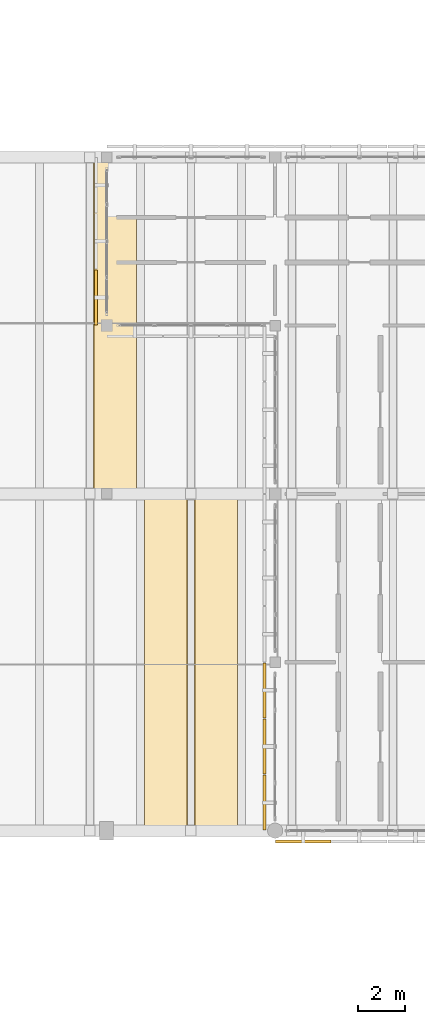
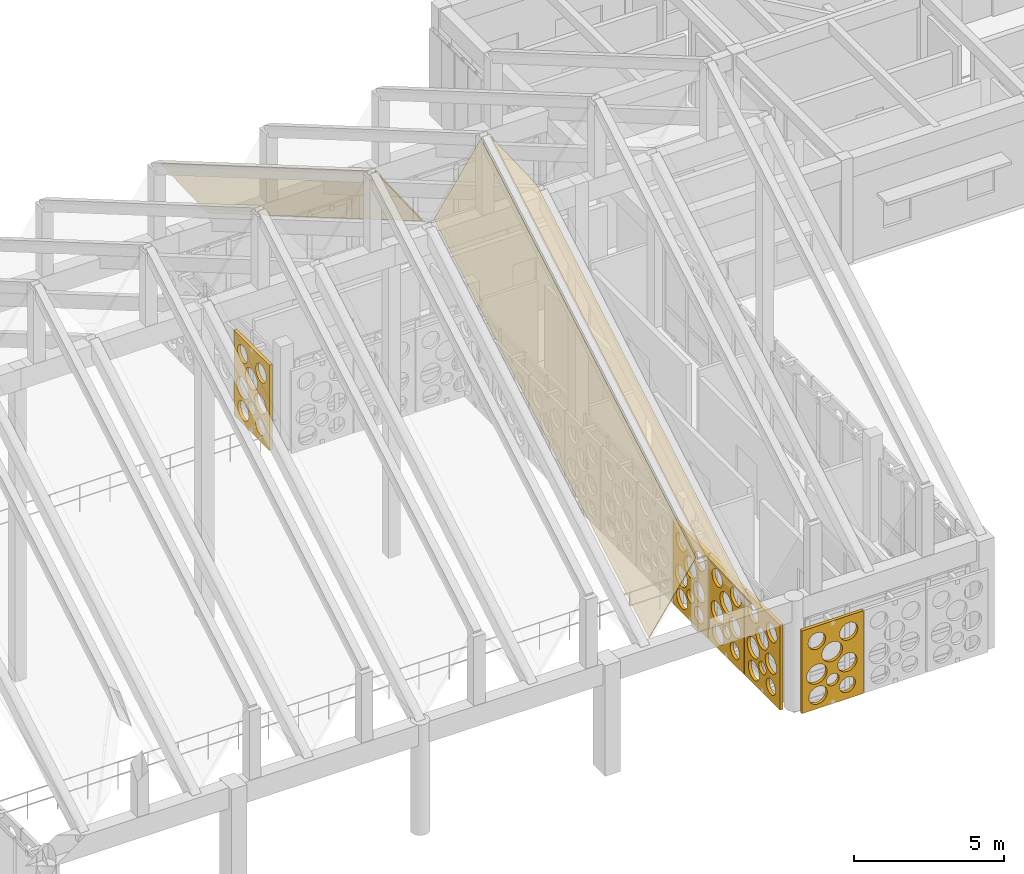
# One storey, part 159 of 171: 8 coverings.
"""IFC4 building model written with IfcOpenShell, lengths in metres."""

from ifc_helpers import new_model, si_unit, direction, frame, origin, place, context, subcontext, project, spatial, polyline, outline, extrude, material, layer, layer_set, type_object, element, save


model = new_model("IFC4")

# Units and contexts
model_context = context("Model", 3, precision=1e-05, world=origin(), true_north=direction((0.0, 1.0)))
body_context = subcontext(model_context, "Body", "Model", "MODEL_VIEW")
ifc_project = project(units=[si_unit("LENGTHUNIT", "METRE"), si_unit("AREAUNIT", "SQUARE_METRE"), si_unit("VOLUMEUNIT", "CUBIC_METRE"), si_unit("PLANEANGLEUNIT", "RADIAN"), si_unit("MASSUNIT", "GRAM", prefix="KILO")], contexts=[model_context])

# Site, building, storey
site_placement = place(None, origin())
site = spatial("IfcSite", under=ifc_project, at=site_placement, CompositionType="ELEMENT")
building_placement = place(site_placement, origin())
building = spatial("IfcBuilding", under=site, at=building_placement, Name="Aldebral Square Health Centre", CompositionType="ELEMENT")
storey_placement = place(building_placement, frame((0.0, 0.0, 4.5)))
storey = spatial("IfcBuildingStorey", under=building, at=storey_placement, Name="L01", CompositionType="ELEMENT", Elevation=4.5)

# Coverings
ifc_material_1 = material(Name="Insulated mineral standing-seam roofing")
ifc_layer_1 = layer(ifc_material_1, 0.0400390625, Name="Insulated mineral standing-seam roofing")
ifc_layer_set_1 = layer_set([ifc_layer_1], Name="Insulated mineral standing-seam roofing")
covering_type_1 = type_object("IfcCoveringType", Name="COV-RF-40", PredefinedType="ROOFING", material=ifc_layer_set_1)
covering_1_placement = place(storey_placement, frame((94.864990234375, 100.800048828125, 4.735595703125), z_axis=(0.783125616046, 0.3133373167, 0.537153605085), x_axis=(-0.565638067086, 0.0, 0.82465361035)))
element("IfcCovering", 1, at=covering_1_placement, inside=storey, type_object=covering_type_1, Name="Waiting Hall folded-plate roof bay 7 NE standing-seam roofing", PredefinedType="ROOFING", context=body_context, shape_type="SweptSolid", body=[
    extrude(outline(polyline([(0.0, 0.0), (3.2000296639766255, 5.551115123125783e-17), (10.09824906129536, 15.100521563128028), (6.898219397318735, 15.100521563128028), (0.0, 0.0)])), origin(), (0.0, 0.0, -1.0), 0.0400390625),
])
covering_2_placement = place(storey_placement, frame((95.215087890625, 72.0, 4.735595703125), z_axis=(-0.783166464322, -0.313311395424, 0.537109168288), x_axis=(0.565586180238, 0.0, 0.824689197652)))
element("IfcCovering", 2, at=covering_2_placement, inside=storey, type_object=covering_type_1, Name="Waiting Hall folded-plate roof bay 8 SW standing-seam roofing", PredefinedType="ROOFING", context=body_context, shape_type="SweptSolid", body=[
    extrude(outline(polyline([(0.0, 0.0), (3.19989157507911, 0.0), (10.098408659831637, 15.100385570024905), (6.898517084752526, 15.100385570024907), (0.0, 0.0)])), origin(), (0.0, 0.0, -1.0), 0.0400390625),
])
covering_3_placement = place(storey_placement, frame((97.375, 72.0, 7.37451171875), z_axis=(0.783125616046, -0.3133373167, 0.537153605085), x_axis=(0.565638067086, 0.0, -0.82465361035)))
element("IfcCovering", 3, at=covering_3_placement, inside=storey, type_object=covering_type_1, Name="Waiting Hall folded-plate roof bay 8 SE standing-seam roofing", PredefinedType="ROOFING", context=body_context, shape_type="SweptSolid", body=[
    extrude(outline(polyline([(0.0, 0.0), (3.2000296639766255, -5.551115123125783e-17), (-3.6981897333421103, 15.100521563128028), (-6.898219397318735, 15.100521563128028), (0.0, 0.0)])), origin(), (0.0, 0.0, -1.0), 0.0400390625),
])
ifc_material_2 = material(Name="Cream cantera perforated stone screen", Category="masonry")
ifc_layer_2 = layer(ifc_material_2, 0.1201171875, Name="Cream cantera perforated stone screen", Category="masonry")
ifc_layer_set_2 = layer_set([ifc_layer_2], Name="Cream cantera perforated stone screen")
covering_type_2 = type_object("IfcCoveringType", Name="COV-SCR-120", PredefinedType="CLADDING", material=ifc_layer_set_2)
covering_4_placement = place(storey_placement, frame((93.139892578125, 95.97998046875, 0.0), z_axis=(0.0, 0.0, 1.0), x_axis=(0.0, -1.0, 0.0)))
element("IfcCovering", 4, at=covering_4_placement, inside=storey, type_object=covering_type_2, Name="L01 V1 circular-aperture stone screen L01-V1-13-13-W.3", PredefinedType="CLADDING", context=body_context, shape_type="SweptSolid", body=[
    extrude(outline(polyline([(0.0, 0.0), (2.35986328125, 0.0), (2.35986328125, 3.469970703125), (0.0, 3.469970703125), (0.0, 0.0)]), holes=[polyline([(0.98486328125, 0.55517578125), (0.966552734375, 0.4404296875), (0.913818359375, 0.3369140625), (0.831787109375, 0.2548828125), (0.728271484375, 0.2021484375), (0.613525390625, 0.18408203125), (0.498779296875, 0.2021484375), (0.3955078125, 0.2548828125), (0.313232421875, 0.3369140625), (0.260498046875, 0.4404296875), (0.242431640625, 0.55517578125), (0.260498046875, 0.669921875), (0.313232421875, 0.7734375), (0.3955078125, 0.85546875), (0.498779296875, 0.908203125), (0.613525390625, 0.926513671875), (0.728271484375, 0.908203125), (0.831787109375, 0.85546875), (0.913818359375, 0.7734375), (0.966552734375, 0.669921875), (0.98486328125, 0.55517578125)]), polyline([(2.059326171875, 0.58984375), (2.0439453125, 0.4931640625), (1.99951171875, 0.406005859375), (1.930419921875, 0.336669921875), (1.843017578125, 0.292236328125), (1.746337890625, 0.277099609375), (1.649658203125, 0.292236328125), (1.5625, 0.336669921875), (1.4931640625, 0.406005859375), (1.44873046875, 0.4931640625), (1.43359375, 0.58984375), (1.44873046875, 0.6865234375), (1.4931640625, 0.77392578125), (1.5625, 0.843017578125), (1.649658203125, 0.887451171875), (1.746337890625, 0.90283203125), (1.843017578125, 0.887451171875), (1.930419921875, 0.843017578125), (1.99951171875, 0.77392578125), (2.0439453125, 0.6865234375), (2.059326171875, 0.58984375)]), polyline([(0.970703125, 1.45751953125), (0.950927734375, 1.33251953125), (0.8935546875, 1.2197265625), (0.803955078125, 1.13037109375), (0.69140625, 1.072998046875), (0.56640625, 1.052978515625), (0.44140625, 1.072998046875), (0.328857421875, 1.13037109375), (0.2392578125, 1.2197265625), (0.181884765625, 1.33251953125), (0.162109375, 1.45751953125), (0.181884765625, 1.582275390625), (0.2392578125, 1.695068359375), (0.328857421875, 1.784423828125), (0.44140625, 1.841796875), (0.56640625, 1.86181640625), (0.69140625, 1.841796875), (0.803955078125, 1.784423828125), (0.8935546875, 1.695068359375), (0.950927734375, 1.582275390625), (0.970703125, 1.45751953125)]), polyline([(2.124267578125, 1.52685546875), (2.105712890625, 1.41015625), (2.052001953125, 1.3046875), (1.968505859375, 1.22119140625), (1.863037109375, 1.16748046875), (1.746337890625, 1.14892578125), (1.629638671875, 1.16748046875), (1.5244140625, 1.22119140625), (1.440673828125, 1.3046875), (1.38720703125, 1.41015625), (1.36865234375, 1.52685546875), (1.38720703125, 1.6435546875), (1.440673828125, 1.748779296875), (1.5244140625, 1.83251953125), (1.629638671875, 1.88623046875), (1.746337890625, 1.904541015625), (1.863037109375, 1.88623046875), (1.968505859375, 1.83251953125), (2.052001953125, 1.748779296875), (2.105712890625, 1.6435546875), (2.124267578125, 1.52685546875)]), polyline([(1.42431640625, 1.00634765625), (1.412353515625, 0.9306640625), (1.377685546875, 0.862548828125), (1.32373046875, 0.80859375), (1.255615234375, 0.77392578125), (1.179931640625, 0.761962890625), (1.1044921875, 0.77392578125), (1.036376953125, 0.80859375), (0.982177734375, 0.862548828125), (0.947509765625, 0.9306640625), (0.935546875, 1.00634765625), (0.947509765625, 1.081787109375), (0.982177734375, 1.14990234375), (1.036376953125, 1.2041015625), (1.1044921875, 1.23876953125), (1.179931640625, 1.250732421875), (1.255615234375, 1.23876953125), (1.32373046875, 1.2041015625), (1.377685546875, 1.14990234375), (1.412353515625, 1.081787109375), (1.42431640625, 1.00634765625)]), polyline([(1.563232421875, 2.18603515625), (1.54345703125, 2.060302734375), (1.485595703125, 1.947021484375), (1.3955078125, 1.85693359375), (1.2822265625, 1.799072265625), (1.156494140625, 1.779296875), (1.03076171875, 1.799072265625), (0.917236328125, 1.85693359375), (0.8271484375, 1.947021484375), (0.76953125, 2.060302734375), (0.74951171875, 2.18603515625), (0.76953125, 2.311767578125), (0.8271484375, 2.42529296875), (0.917236328125, 2.515380859375), (1.03076171875, 2.572998046875), (1.156494140625, 2.593017578125), (1.2822265625, 2.572998046875), (1.3955078125, 2.515380859375), (1.485595703125, 2.42529296875), (1.54345703125, 2.311767578125), (1.563232421875, 2.18603515625)]), polyline([(0.9091796875, 2.845458984375), (0.892333984375, 2.739501953125), (0.84375, 2.64404296875), (0.767822265625, 2.568115234375), (0.67236328125, 2.51953125), (0.56640625, 2.502685546875), (0.46044921875, 2.51953125), (0.364990234375, 2.568115234375), (0.2890625, 2.64404296875), (0.240478515625, 2.739501953125), (0.2236328125, 2.845458984375), (0.240478515625, 2.951416015625), (0.2890625, 3.046875), (0.364990234375, 3.12255859375), (0.46044921875, 3.17138671875), (0.56640625, 3.18798828125), (0.67236328125, 3.17138671875), (0.767822265625, 3.12255859375), (0.84375, 3.046875), (0.892333984375, 2.951416015625), (0.9091796875, 2.845458984375)]), polyline([(2.1513671875, 2.810791015625), (2.1337890625, 2.7001953125), (2.0830078125, 2.600341796875), (2.00390625, 2.521240234375), (1.904052734375, 2.470458984375), (1.793701171875, 2.452880859375), (1.68310546875, 2.470458984375), (1.583251953125, 2.521240234375), (1.504150390625, 2.600341796875), (1.453369140625, 2.7001953125), (1.435791015625, 2.810791015625), (1.453369140625, 2.921142578125), (1.504150390625, 3.02099609375), (1.583251953125, 3.10009765625), (1.68310546875, 3.15087890625), (1.793701171875, 3.16845703125), (1.904052734375, 3.15087890625), (2.00390625, 3.10009765625), (2.0830078125, 3.02099609375), (2.1337890625, 2.921142578125), (2.1513671875, 2.810791015625)])]), frame((0.0, 0.06005859375, 0.0), z_axis=(0.0, -1.0, 0.0), x_axis=(1.0, 0.0, 0.0)), (0.0, 0.0, 1.0), 0.1201171875),
])
covering_5_placement = place(storey_placement, frame((100.820068359375, 71.5400390625, 0.0), z_axis=(0.0, 0.0, 1.0), x_axis=(1.0, 0.0, 0.0)))
element("IfcCovering", 5, at=covering_5_placement, inside=storey, type_object=covering_type_2, Name="L01 V1 circular-aperture stone screen L01-V1-14-10-S.1", PredefinedType="CLADDING", context=body_context, shape_type="SweptSolid", body=[
    extrude(outline(polyline([(0.0, 0.0), (2.35986328125, 0.0), (2.35986328125, 3.3701171875), (0.0, 3.3701171875), (0.0, 0.0)]), holes=[polyline([(0.973388671875, 0.539306640625), (0.955810546875, 0.427978515625), (0.90478515625, 0.32763671875), (0.8251953125, 0.248046875), (0.724853515625, 0.197021484375), (0.613525390625, 0.17919921875), (0.50244140625, 0.197021484375), (0.402099609375, 0.248046875), (0.322509765625, 0.32763671875), (0.271240234375, 0.427978515625), (0.253662109375, 0.539306640625), (0.271240234375, 0.650390625), (0.322509765625, 0.750732421875), (0.402099609375, 0.830322265625), (0.50244140625, 0.881591796875), (0.613525390625, 0.899169921875), (0.724853515625, 0.881591796875), (0.8251953125, 0.830322265625), (0.90478515625, 0.750732421875), (0.955810546875, 0.650390625), (0.973388671875, 0.539306640625)]), polyline([(2.0546875, 0.572998046875), (2.039794921875, 0.4775390625), (1.995849609375, 0.3916015625), (1.927734375, 0.323486328125), (1.841796875, 0.279541015625), (1.746337890625, 0.264404296875), (1.651123046875, 0.279541015625), (1.565185546875, 0.323486328125), (1.496826171875, 0.3916015625), (1.453125, 0.4775390625), (1.43798828125, 0.572998046875), (1.453125, 0.668212890625), (1.496826171875, 0.754150390625), (1.565185546875, 0.822509765625), (1.651123046875, 0.8662109375), (1.746337890625, 0.88134765625), (1.841796875, 0.8662109375), (1.927734375, 0.822509765625), (1.995849609375, 0.754150390625), (2.039794921875, 0.668212890625), (2.0546875, 0.572998046875)]), polyline([(0.9619140625, 1.415283203125), (0.942626953125, 1.293212890625), (0.886474609375, 1.182861328125), (0.798828125, 1.095458984375), (0.688720703125, 1.039306640625), (0.56640625, 1.02001953125), (0.444091796875, 1.039306640625), (0.333984375, 1.095458984375), (0.246337890625, 1.182861328125), (0.190185546875, 1.293212890625), (0.1708984375, 1.415283203125), (0.190185546875, 1.53759765625), (0.246337890625, 1.64794921875), (0.333984375, 1.7353515625), (0.444091796875, 1.79150390625), (0.56640625, 1.810791015625), (0.688720703125, 1.79150390625), (0.798828125, 1.7353515625), (0.886474609375, 1.64794921875), (0.942626953125, 1.53759765625), (0.9619140625, 1.415283203125)]), polyline([(2.117919921875, 1.48291015625), (2.099853515625, 1.367919921875), (2.047119140625, 1.264404296875), (1.96484375, 1.18212890625), (1.861328125, 1.12939453125), (1.746337890625, 1.111083984375), (1.631591796875, 1.12939453125), (1.528076171875, 1.18212890625), (1.44580078125, 1.264404296875), (1.39306640625, 1.367919921875), (1.374755859375, 1.48291015625), (1.39306640625, 1.59765625), (1.44580078125, 1.701171875), (1.528076171875, 1.783447265625), (1.631591796875, 1.836181640625), (1.746337890625, 1.8544921875), (1.861328125, 1.836181640625), (1.96484375, 1.783447265625), (2.047119140625, 1.701171875), (2.099853515625, 1.59765625), (2.117919921875, 1.48291015625)]), polyline([(1.4248046875, 0.977294921875), (1.412841796875, 0.901611328125), (1.3779296875, 0.83349609375), (1.32373046875, 0.779296875), (1.255615234375, 0.74462890625), (1.179931640625, 0.732666015625), (1.1044921875, 0.74462890625), (1.0361328125, 0.779296875), (0.98193359375, 0.83349609375), (0.947265625, 0.901611328125), (0.935302734375, 0.977294921875), (0.947265625, 1.052978515625), (0.98193359375, 1.12109375), (1.0361328125, 1.17529296875), (1.1044921875, 1.2099609375), (1.179931640625, 1.221923828125), (1.255615234375, 1.2099609375), (1.32373046875, 1.17529296875), (1.3779296875, 1.12109375), (1.412841796875, 1.052978515625), (1.4248046875, 0.977294921875)]), polyline([(1.555419921875, 2.123046875), (1.535888671875, 1.999755859375), (1.479248046875, 1.888427734375), (1.390869140625, 1.80029296875), (1.27978515625, 1.74365234375), (1.156494140625, 1.72412109375), (1.032958984375, 1.74365234375), (0.921875, 1.80029296875), (0.83349609375, 1.888427734375), (0.77685546875, 1.999755859375), (0.75732421875, 2.123046875), (0.77685546875, 2.246337890625), (0.83349609375, 2.357666015625), (0.921875, 2.446044921875), (1.032958984375, 2.502685546875), (1.156494140625, 2.522216796875), (1.27978515625, 2.502685546875), (1.390869140625, 2.446044921875), (1.479248046875, 2.357666015625), (1.535888671875, 2.246337890625), (1.555419921875, 2.123046875)]), polyline([(0.904296875, 2.763427734375), (0.8876953125, 2.658935546875), (0.839599609375, 2.56494140625), (0.764892578125, 2.490234375), (0.6708984375, 2.442138671875), (0.56640625, 2.425537109375), (0.4619140625, 2.442138671875), (0.367919921875, 2.490234375), (0.293212890625, 2.56494140625), (0.2451171875, 2.658935546875), (0.228515625, 2.763427734375), (0.2451171875, 2.86767578125), (0.293212890625, 2.9619140625), (0.367919921875, 3.03662109375), (0.4619140625, 3.084716796875), (0.56640625, 3.101318359375), (0.6708984375, 3.084716796875), (0.764892578125, 3.03662109375), (0.839599609375, 2.9619140625), (0.8876953125, 2.86767578125), (0.904296875, 2.763427734375)]), polyline([(2.14599609375, 2.729736328125), (2.12890625, 2.620849609375), (2.078857421875, 2.5224609375), (2.000732421875, 2.444580078125), (1.902587890625, 2.39453125), (1.793701171875, 2.377197265625), (1.6845703125, 2.39453125), (1.58642578125, 2.444580078125), (1.50830078125, 2.5224609375), (1.458251953125, 2.620849609375), (1.441162109375, 2.729736328125), (1.458251953125, 2.838623046875), (1.50830078125, 2.93701171875), (1.58642578125, 3.014892578125), (1.6845703125, 3.06494140625), (1.793701171875, 3.082275390625), (1.902587890625, 3.06494140625), (2.000732421875, 3.014892578125), (2.078857421875, 2.93701171875), (2.12890625, 2.838623046875), (2.14599609375, 2.729736328125)])]), frame((0.0, 0.06005859375, 0.0), z_axis=(0.0, -1.0, 0.0), x_axis=(1.0, 0.0, 0.0)), (0.0, 0.0, 1.0), 0.1201171875),
])
covering_6_placement = place(storey_placement, frame((100.340087890625, 79.179931640625, 0.0), z_axis=(0.0, 0.0, 1.0), x_axis=(0.0, -1.0, 0.0)))
element("IfcCovering", 6, at=covering_6_placement, inside=storey, type_object=covering_type_2, Name="L01 V1 circular-aperture stone screen L01-V1-14-10-W.1", PredefinedType="CLADDING", context=body_context, shape_type="SweptSolid", body=[
    extrude(outline(polyline([(0.0, 0.0), (2.35986328125, 0.0), (2.35986328125, 3.469970703125), (0.0, 3.469970703125), (0.0, 0.0)]), holes=[polyline([(0.98486328125, 0.55517578125), (0.966552734375, 0.4404296875), (0.913818359375, 0.3369140625), (0.831787109375, 0.2548828125), (0.728271484375, 0.2021484375), (0.613525390625, 0.18408203125), (0.498779296875, 0.2021484375), (0.3955078125, 0.2548828125), (0.313232421875, 0.3369140625), (0.260498046875, 0.4404296875), (0.242431640625, 0.55517578125), (0.260498046875, 0.669921875), (0.313232421875, 0.7734375), (0.3955078125, 0.85546875), (0.498779296875, 0.908203125), (0.613525390625, 0.926513671875), (0.728271484375, 0.908203125), (0.831787109375, 0.85546875), (0.913818359375, 0.7734375), (0.966552734375, 0.669921875), (0.98486328125, 0.55517578125)]), polyline([(2.059326171875, 0.58984375), (2.0439453125, 0.4931640625), (1.99951171875, 0.406005859375), (1.930419921875, 0.336669921875), (1.843017578125, 0.292236328125), (1.746337890625, 0.277099609375), (1.649658203125, 0.292236328125), (1.5625, 0.336669921875), (1.4931640625, 0.406005859375), (1.44873046875, 0.4931640625), (1.43359375, 0.58984375), (1.44873046875, 0.6865234375), (1.4931640625, 0.77392578125), (1.5625, 0.843017578125), (1.649658203125, 0.887451171875), (1.746337890625, 0.90283203125), (1.843017578125, 0.887451171875), (1.930419921875, 0.843017578125), (1.99951171875, 0.77392578125), (2.0439453125, 0.6865234375), (2.059326171875, 0.58984375)]), polyline([(0.970703125, 1.45751953125), (0.950927734375, 1.33251953125), (0.8935546875, 1.2197265625), (0.803955078125, 1.13037109375), (0.69140625, 1.072998046875), (0.56640625, 1.052978515625), (0.44140625, 1.072998046875), (0.328857421875, 1.13037109375), (0.2392578125, 1.2197265625), (0.181884765625, 1.33251953125), (0.162109375, 1.45751953125), (0.181884765625, 1.582275390625), (0.2392578125, 1.695068359375), (0.328857421875, 1.784423828125), (0.44140625, 1.841796875), (0.56640625, 1.86181640625), (0.69140625, 1.841796875), (0.803955078125, 1.784423828125), (0.8935546875, 1.695068359375), (0.950927734375, 1.582275390625), (0.970703125, 1.45751953125)]), polyline([(2.124267578125, 1.52685546875), (2.105712890625, 1.41015625), (2.052001953125, 1.3046875), (1.968505859375, 1.22119140625), (1.863037109375, 1.16748046875), (1.746337890625, 1.14892578125), (1.629638671875, 1.16748046875), (1.5244140625, 1.22119140625), (1.440673828125, 1.3046875), (1.38720703125, 1.41015625), (1.36865234375, 1.52685546875), (1.38720703125, 1.6435546875), (1.440673828125, 1.748779296875), (1.5244140625, 1.83251953125), (1.629638671875, 1.88623046875), (1.746337890625, 1.904541015625), (1.863037109375, 1.88623046875), (1.968505859375, 1.83251953125), (2.052001953125, 1.748779296875), (2.105712890625, 1.6435546875), (2.124267578125, 1.52685546875)]), polyline([(1.42431640625, 1.00634765625), (1.412353515625, 0.9306640625), (1.377685546875, 0.862548828125), (1.32373046875, 0.80859375), (1.255615234375, 0.77392578125), (1.179931640625, 0.761962890625), (1.1044921875, 0.77392578125), (1.036376953125, 0.80859375), (0.982177734375, 0.862548828125), (0.947509765625, 0.9306640625), (0.935546875, 1.00634765625), (0.947509765625, 1.081787109375), (0.982177734375, 1.14990234375), (1.036376953125, 1.2041015625), (1.1044921875, 1.23876953125), (1.179931640625, 1.250732421875), (1.255615234375, 1.23876953125), (1.32373046875, 1.2041015625), (1.377685546875, 1.14990234375), (1.412353515625, 1.081787109375), (1.42431640625, 1.00634765625)]), polyline([(1.563232421875, 2.18603515625), (1.54345703125, 2.060302734375), (1.485595703125, 1.947021484375), (1.3955078125, 1.85693359375), (1.2822265625, 1.799072265625), (1.156494140625, 1.779296875), (1.03076171875, 1.799072265625), (0.917236328125, 1.85693359375), (0.8271484375, 1.947021484375), (0.76953125, 2.060302734375), (0.74951171875, 2.18603515625), (0.76953125, 2.311767578125), (0.8271484375, 2.42529296875), (0.917236328125, 2.515380859375), (1.03076171875, 2.572998046875), (1.156494140625, 2.593017578125), (1.2822265625, 2.572998046875), (1.3955078125, 2.515380859375), (1.485595703125, 2.42529296875), (1.54345703125, 2.311767578125), (1.563232421875, 2.18603515625)]), polyline([(0.9091796875, 2.845458984375), (0.892333984375, 2.739501953125), (0.84375, 2.64404296875), (0.767822265625, 2.568115234375), (0.67236328125, 2.51953125), (0.56640625, 2.502685546875), (0.46044921875, 2.51953125), (0.364990234375, 2.568115234375), (0.2890625, 2.64404296875), (0.240478515625, 2.739501953125), (0.2236328125, 2.845458984375), (0.240478515625, 2.951416015625), (0.2890625, 3.046875), (0.364990234375, 3.12255859375), (0.46044921875, 3.17138671875), (0.56640625, 3.18798828125), (0.67236328125, 3.17138671875), (0.767822265625, 3.12255859375), (0.84375, 3.046875), (0.892333984375, 2.951416015625), (0.9091796875, 2.845458984375)]), polyline([(2.1513671875, 2.810791015625), (2.1337890625, 2.7001953125), (2.0830078125, 2.600341796875), (2.00390625, 2.521240234375), (1.904052734375, 2.470458984375), (1.793701171875, 2.452880859375), (1.68310546875, 2.470458984375), (1.583251953125, 2.521240234375), (1.504150390625, 2.600341796875), (1.453369140625, 2.7001953125), (1.435791015625, 2.810791015625), (1.453369140625, 2.921142578125), (1.504150390625, 3.02099609375), (1.583251953125, 3.10009765625), (1.68310546875, 3.15087890625), (1.793701171875, 3.16845703125), (1.904052734375, 3.15087890625), (2.00390625, 3.10009765625), (2.0830078125, 3.02099609375), (2.1337890625, 2.921142578125), (2.1513671875, 2.810791015625)])]), frame((0.0, 0.06005859375, 0.0), z_axis=(0.0, -1.0, 0.0), x_axis=(1.0, 0.0, 0.0)), (0.0, 0.0, 1.0), 0.1201171875),
])
covering_7_placement = place(storey_placement, frame((100.340087890625, 76.780029296875, 0.0), z_axis=(0.0, 0.0, 1.0), x_axis=(0.0, -1.0, 0.0)))
element("IfcCovering", 7, at=covering_7_placement, inside=storey, type_object=covering_type_2, Name="L01 V1 circular-aperture stone screen L01-V1-14-10-W.2", PredefinedType="CLADDING", context=body_context, shape_type="SweptSolid", body=[
    extrude(outline(polyline([(0.0, 0.0), (2.360107421875, 0.0), (2.360107421875, 3.469970703125), (0.0, 3.469970703125), (0.0, 0.0)]), holes=[polyline([(0.98486328125, 0.55517578125), (0.966552734375, 0.4404296875), (0.913818359375, 0.3369140625), (0.831787109375, 0.2548828125), (0.728271484375, 0.2021484375), (0.613525390625, 0.18408203125), (0.498779296875, 0.2021484375), (0.3955078125, 0.2548828125), (0.313232421875, 0.3369140625), (0.260498046875, 0.4404296875), (0.242431640625, 0.55517578125), (0.260498046875, 0.669921875), (0.313232421875, 0.7734375), (0.3955078125, 0.85546875), (0.498779296875, 0.908203125), (0.613525390625, 0.926513671875), (0.728271484375, 0.908203125), (0.831787109375, 0.85546875), (0.913818359375, 0.7734375), (0.966552734375, 0.669921875), (0.98486328125, 0.55517578125)]), polyline([(2.059326171875, 0.58984375), (2.0439453125, 0.4931640625), (1.99951171875, 0.406005859375), (1.930419921875, 0.336669921875), (1.843017578125, 0.292236328125), (1.746337890625, 0.277099609375), (1.649658203125, 0.292236328125), (1.5625, 0.336669921875), (1.4931640625, 0.406005859375), (1.44873046875, 0.4931640625), (1.43359375, 0.58984375), (1.44873046875, 0.6865234375), (1.4931640625, 0.77392578125), (1.5625, 0.843017578125), (1.649658203125, 0.887451171875), (1.746337890625, 0.90283203125), (1.843017578125, 0.887451171875), (1.930419921875, 0.843017578125), (1.99951171875, 0.77392578125), (2.0439453125, 0.6865234375), (2.059326171875, 0.58984375)]), polyline([(0.970703125, 1.45751953125), (0.950927734375, 1.33251953125), (0.8935546875, 1.2197265625), (0.803955078125, 1.13037109375), (0.69140625, 1.072998046875), (0.56640625, 1.052978515625), (0.44140625, 1.072998046875), (0.328857421875, 1.13037109375), (0.2392578125, 1.2197265625), (0.181884765625, 1.33251953125), (0.162109375, 1.45751953125), (0.181884765625, 1.582275390625), (0.2392578125, 1.695068359375), (0.328857421875, 1.784423828125), (0.44140625, 1.841796875), (0.56640625, 1.86181640625), (0.69140625, 1.841796875), (0.803955078125, 1.784423828125), (0.8935546875, 1.695068359375), (0.950927734375, 1.582275390625), (0.970703125, 1.45751953125)]), polyline([(2.124267578125, 1.52685546875), (2.105712890625, 1.41015625), (2.052001953125, 1.3046875), (1.968505859375, 1.22119140625), (1.863037109375, 1.16748046875), (1.746337890625, 1.14892578125), (1.629638671875, 1.16748046875), (1.5244140625, 1.22119140625), (1.440673828125, 1.3046875), (1.38720703125, 1.41015625), (1.36865234375, 1.52685546875), (1.38720703125, 1.6435546875), (1.440673828125, 1.748779296875), (1.5244140625, 1.83251953125), (1.629638671875, 1.88623046875), (1.746337890625, 1.904541015625), (1.863037109375, 1.88623046875), (1.968505859375, 1.83251953125), (2.052001953125, 1.748779296875), (2.105712890625, 1.6435546875), (2.124267578125, 1.52685546875)]), polyline([(1.42431640625, 1.00634765625), (1.412353515625, 0.9306640625), (1.377685546875, 0.862548828125), (1.32373046875, 0.80859375), (1.255615234375, 0.77392578125), (1.179931640625, 0.761962890625), (1.1044921875, 0.77392578125), (1.036376953125, 0.80859375), (0.982177734375, 0.862548828125), (0.947509765625, 0.9306640625), (0.935546875, 1.00634765625), (0.947509765625, 1.081787109375), (0.982177734375, 1.14990234375), (1.036376953125, 1.2041015625), (1.1044921875, 1.23876953125), (1.179931640625, 1.250732421875), (1.255615234375, 1.23876953125), (1.32373046875, 1.2041015625), (1.377685546875, 1.14990234375), (1.412353515625, 1.081787109375), (1.42431640625, 1.00634765625)]), polyline([(1.563232421875, 2.18603515625), (1.54345703125, 2.060302734375), (1.485595703125, 1.947021484375), (1.3955078125, 1.85693359375), (1.2822265625, 1.799072265625), (1.156494140625, 1.779296875), (1.03076171875, 1.799072265625), (0.917236328125, 1.85693359375), (0.8271484375, 1.947021484375), (0.76953125, 2.060302734375), (0.74951171875, 2.18603515625), (0.76953125, 2.311767578125), (0.8271484375, 2.42529296875), (0.917236328125, 2.515380859375), (1.03076171875, 2.572998046875), (1.156494140625, 2.593017578125), (1.2822265625, 2.572998046875), (1.3955078125, 2.515380859375), (1.485595703125, 2.42529296875), (1.54345703125, 2.311767578125), (1.563232421875, 2.18603515625)]), polyline([(0.9091796875, 2.845458984375), (0.892333984375, 2.739501953125), (0.84375, 2.64404296875), (0.767822265625, 2.568115234375), (0.67236328125, 2.51953125), (0.56640625, 2.502685546875), (0.46044921875, 2.51953125), (0.364990234375, 2.568115234375), (0.2890625, 2.64404296875), (0.240478515625, 2.739501953125), (0.2236328125, 2.845458984375), (0.240478515625, 2.951416015625), (0.2890625, 3.046875), (0.364990234375, 3.12255859375), (0.46044921875, 3.17138671875), (0.56640625, 3.18798828125), (0.67236328125, 3.17138671875), (0.767822265625, 3.12255859375), (0.84375, 3.046875), (0.892333984375, 2.951416015625), (0.9091796875, 2.845458984375)]), polyline([(2.1513671875, 2.810791015625), (2.1337890625, 2.7001953125), (2.0830078125, 2.600341796875), (2.00390625, 2.521240234375), (1.904052734375, 2.470458984375), (1.793701171875, 2.452880859375), (1.68310546875, 2.470458984375), (1.583251953125, 2.521240234375), (1.504150390625, 2.600341796875), (1.453369140625, 2.7001953125), (1.435791015625, 2.810791015625), (1.453369140625, 2.921142578125), (1.504150390625, 3.02099609375), (1.583251953125, 3.10009765625), (1.68310546875, 3.15087890625), (1.793701171875, 3.16845703125), (1.904052734375, 3.15087890625), (2.00390625, 3.10009765625), (2.0830078125, 3.02099609375), (2.1337890625, 2.921142578125), (2.1513671875, 2.810791015625)])]), frame((0.0, 0.06005859375, 0.0), z_axis=(0.0, -1.0, 0.0), x_axis=(1.0, 0.0, 0.0)), (0.0, 0.0, 1.0), 0.1201171875),
])
covering_8_placement = place(storey_placement, frame((100.340087890625, 74.3798828125, 0.0), z_axis=(0.0, 0.0, 1.0), x_axis=(0.0, -1.0, 0.0)))
element("IfcCovering", 8, at=covering_8_placement, inside=storey, type_object=covering_type_2, Name="L01 V1 circular-aperture stone screen L01-V1-14-10-W.3", PredefinedType="CLADDING", context=body_context, shape_type="SweptSolid", body=[
    extrude(outline(polyline([(0.0, 0.0), (2.35986328125, 0.0), (2.35986328125, 3.469970703125), (0.0, 3.469970703125), (0.0, 0.0)]), holes=[polyline([(0.98486328125, 0.55517578125), (0.966552734375, 0.4404296875), (0.913818359375, 0.3369140625), (0.831787109375, 0.2548828125), (0.728271484375, 0.2021484375), (0.613525390625, 0.18408203125), (0.498779296875, 0.2021484375), (0.3955078125, 0.2548828125), (0.313232421875, 0.3369140625), (0.260498046875, 0.4404296875), (0.242431640625, 0.55517578125), (0.260498046875, 0.669921875), (0.313232421875, 0.7734375), (0.3955078125, 0.85546875), (0.498779296875, 0.908203125), (0.613525390625, 0.926513671875), (0.728271484375, 0.908203125), (0.831787109375, 0.85546875), (0.913818359375, 0.7734375), (0.966552734375, 0.669921875), (0.98486328125, 0.55517578125)]), polyline([(2.059326171875, 0.58984375), (2.0439453125, 0.4931640625), (1.99951171875, 0.406005859375), (1.930419921875, 0.336669921875), (1.843017578125, 0.292236328125), (1.746337890625, 0.277099609375), (1.649658203125, 0.292236328125), (1.5625, 0.336669921875), (1.4931640625, 0.406005859375), (1.44873046875, 0.4931640625), (1.43359375, 0.58984375), (1.44873046875, 0.6865234375), (1.4931640625, 0.77392578125), (1.5625, 0.843017578125), (1.649658203125, 0.887451171875), (1.746337890625, 0.90283203125), (1.843017578125, 0.887451171875), (1.930419921875, 0.843017578125), (1.99951171875, 0.77392578125), (2.0439453125, 0.6865234375), (2.059326171875, 0.58984375)]), polyline([(0.970703125, 1.45751953125), (0.950927734375, 1.33251953125), (0.8935546875, 1.2197265625), (0.803955078125, 1.13037109375), (0.69140625, 1.072998046875), (0.56640625, 1.052978515625), (0.44140625, 1.072998046875), (0.328857421875, 1.13037109375), (0.2392578125, 1.2197265625), (0.181884765625, 1.33251953125), (0.162109375, 1.45751953125), (0.181884765625, 1.582275390625), (0.2392578125, 1.695068359375), (0.328857421875, 1.784423828125), (0.44140625, 1.841796875), (0.56640625, 1.86181640625), (0.69140625, 1.841796875), (0.803955078125, 1.784423828125), (0.8935546875, 1.695068359375), (0.950927734375, 1.582275390625), (0.970703125, 1.45751953125)]), polyline([(2.124267578125, 1.52685546875), (2.105712890625, 1.41015625), (2.052001953125, 1.3046875), (1.968505859375, 1.22119140625), (1.863037109375, 1.16748046875), (1.746337890625, 1.14892578125), (1.629638671875, 1.16748046875), (1.5244140625, 1.22119140625), (1.440673828125, 1.3046875), (1.38720703125, 1.41015625), (1.36865234375, 1.52685546875), (1.38720703125, 1.6435546875), (1.440673828125, 1.748779296875), (1.5244140625, 1.83251953125), (1.629638671875, 1.88623046875), (1.746337890625, 1.904541015625), (1.863037109375, 1.88623046875), (1.968505859375, 1.83251953125), (2.052001953125, 1.748779296875), (2.105712890625, 1.6435546875), (2.124267578125, 1.52685546875)]), polyline([(1.42431640625, 1.00634765625), (1.412353515625, 0.9306640625), (1.377685546875, 0.862548828125), (1.32373046875, 0.80859375), (1.255615234375, 0.77392578125), (1.179931640625, 0.761962890625), (1.1044921875, 0.77392578125), (1.036376953125, 0.80859375), (0.982177734375, 0.862548828125), (0.947509765625, 0.9306640625), (0.935546875, 1.00634765625), (0.947509765625, 1.081787109375), (0.982177734375, 1.14990234375), (1.036376953125, 1.2041015625), (1.1044921875, 1.23876953125), (1.179931640625, 1.250732421875), (1.255615234375, 1.23876953125), (1.32373046875, 1.2041015625), (1.377685546875, 1.14990234375), (1.412353515625, 1.081787109375), (1.42431640625, 1.00634765625)]), polyline([(1.563232421875, 2.18603515625), (1.54345703125, 2.060302734375), (1.485595703125, 1.947021484375), (1.3955078125, 1.85693359375), (1.2822265625, 1.799072265625), (1.156494140625, 1.779296875), (1.03076171875, 1.799072265625), (0.917236328125, 1.85693359375), (0.8271484375, 1.947021484375), (0.76953125, 2.060302734375), (0.74951171875, 2.18603515625), (0.76953125, 2.311767578125), (0.8271484375, 2.42529296875), (0.917236328125, 2.515380859375), (1.03076171875, 2.572998046875), (1.156494140625, 2.593017578125), (1.2822265625, 2.572998046875), (1.3955078125, 2.515380859375), (1.485595703125, 2.42529296875), (1.54345703125, 2.311767578125), (1.563232421875, 2.18603515625)]), polyline([(0.9091796875, 2.845458984375), (0.892333984375, 2.739501953125), (0.84375, 2.64404296875), (0.767822265625, 2.568115234375), (0.67236328125, 2.51953125), (0.56640625, 2.502685546875), (0.46044921875, 2.51953125), (0.364990234375, 2.568115234375), (0.2890625, 2.64404296875), (0.240478515625, 2.739501953125), (0.2236328125, 2.845458984375), (0.240478515625, 2.951416015625), (0.2890625, 3.046875), (0.364990234375, 3.12255859375), (0.46044921875, 3.17138671875), (0.56640625, 3.18798828125), (0.67236328125, 3.17138671875), (0.767822265625, 3.12255859375), (0.84375, 3.046875), (0.892333984375, 2.951416015625), (0.9091796875, 2.845458984375)]), polyline([(2.1513671875, 2.810791015625), (2.1337890625, 2.7001953125), (2.0830078125, 2.600341796875), (2.00390625, 2.521240234375), (1.904052734375, 2.470458984375), (1.793701171875, 2.452880859375), (1.68310546875, 2.470458984375), (1.583251953125, 2.521240234375), (1.504150390625, 2.600341796875), (1.453369140625, 2.7001953125), (1.435791015625, 2.810791015625), (1.453369140625, 2.921142578125), (1.504150390625, 3.02099609375), (1.583251953125, 3.10009765625), (1.68310546875, 3.15087890625), (1.793701171875, 3.16845703125), (1.904052734375, 3.15087890625), (2.00390625, 3.10009765625), (2.0830078125, 3.02099609375), (2.1337890625, 2.921142578125), (2.1513671875, 2.810791015625)])]), frame((0.0, 0.06005859375, 0.0), z_axis=(0.0, -1.0, 0.0), x_axis=(1.0, 0.0, 0.0)), (0.0, 0.0, 1.0), 0.1201171875),
])

save(model, "model.ifc")
